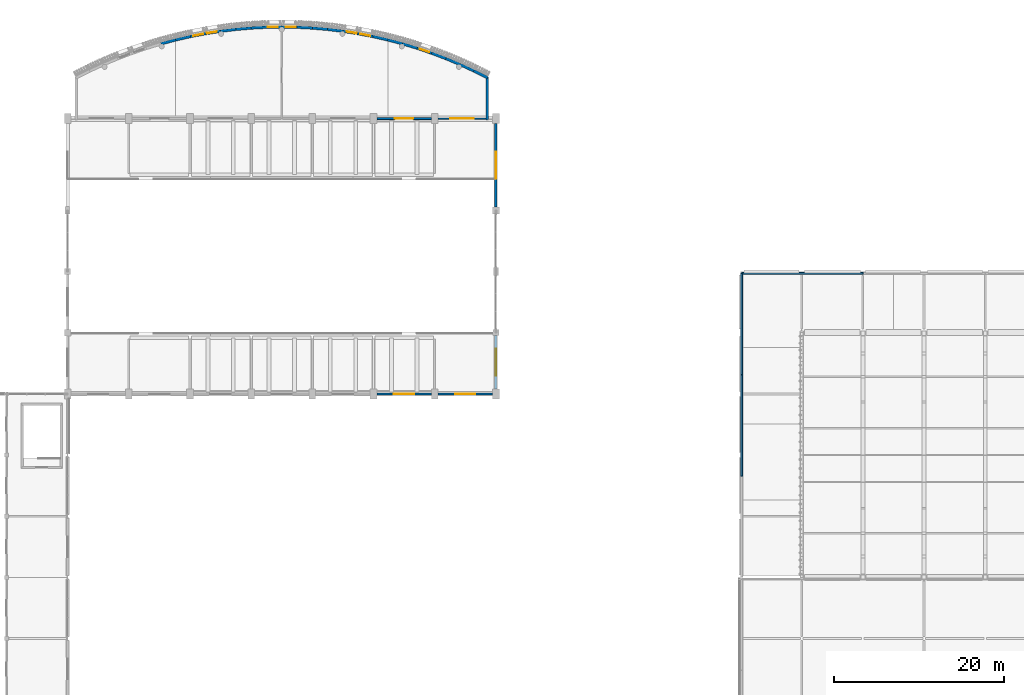
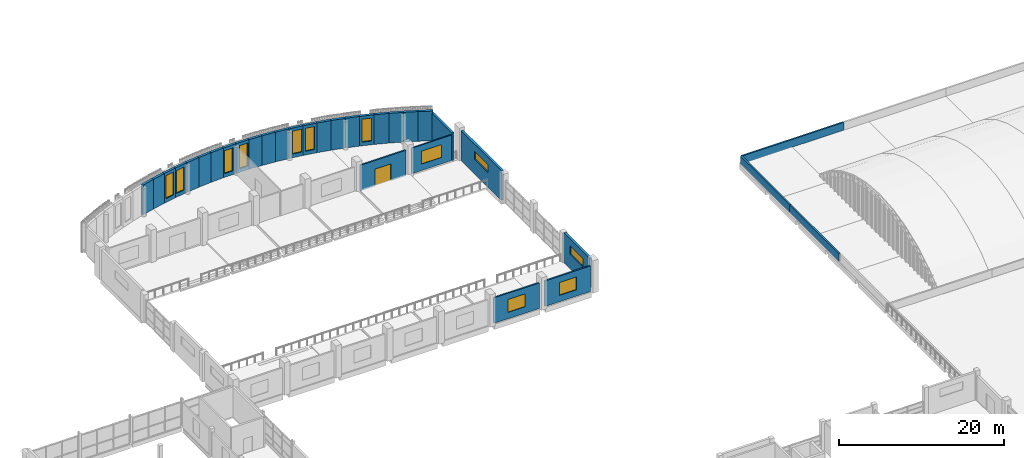
# One storey, part 53 of 71: 32 walls, 12 windows, 1 door, 13 openings.
"""IFC4 building model written with IfcOpenShell, lengths in metres."""

from ifc_helpers import new_model, si_unit, direction, frame, frame_2d, origin, place, context, subcontext, project, spatial, polyline, rectangle, outline, extrude, material, layer, layer_set, type_object, element, fill, save


model = new_model("IFC4")

# Units and contexts
model_context = context("Model", 3, precision=1e-05, world=origin(), true_north=direction((0.0, 1.0)))
body_context = subcontext(model_context, "Body", "Model", "MODEL_VIEW")
ifc_project = project(units=[si_unit("LENGTHUNIT", "METRE"), si_unit("AREAUNIT", "SQUARE_METRE"), si_unit("VOLUMEUNIT", "CUBIC_METRE"), si_unit("PLANEANGLEUNIT", "RADIAN"), si_unit("MASSUNIT", "GRAM", prefix="KILO")], contexts=[model_context])

# Site, building, storey
site_placement = place(None, origin())
site = spatial("IfcSite", under=ifc_project, at=site_placement, CompositionType="ELEMENT")
building_placement = place(site_placement, origin())
building = spatial("IfcBuilding", under=site, at=building_placement, Name="Sardonyx Promenade Sports Hall", CompositionType="ELEMENT")
storey_placement = place(building_placement, frame((0.0, 0.0, 16.0)))
storey = spatial("IfcBuildingStorey", under=building, at=storey_placement, Name="L03", CompositionType="ELEMENT", Elevation=16.0)

# Walls
ifc_material_1 = material(Name="Concrete C40/50", Category="concrete")
ifc_layer_1 = layer(ifc_material_1, 0.340087890625)
ifc_layer_set_1 = layer_set([ifc_layer_1], Name="Wall_Bow_Arc_340")
wall_type_1 = type_object("IfcWallType", Name="Wall_Bow_Arc_340", PredefinedType="SOLIDWALL", material=ifc_layer_set_1)
wall_1_placement = place(storey_placement, frame((39.78271484375, 113.21875, 0.0), z_axis=(0.0, 0.0, 1.0), x_axis=(0.966504582235, 0.256649357135, 0.0)))
element("IfcWall", 1, at=wall_1_placement, inside=storey, type_object=wall_type_1, Name="Bowed promenade wall EW07 L03 CH07", PredefinedType="SOLIDWALL", context=body_context, shape_type="SweptSolid", body=[
    extrude(outline(polyline([(0.002943, -0.17), (1.797058, -0.17), (1.802943, 0.17), (-0.002943, 0.17), (0.002943, -0.17)])), origin(), (0.0, 0.0, 1.0), 4.39990234375),
])
wall_2_placement = place(storey_placement, frame((41.522216796875, 113.6806640625, 0.0), z_axis=(0.0, 0.0, 1.0), x_axis=(0.974791962114, 0.223115733641, 0.0)))
element("IfcWall", 2, at=wall_2_placement, inside=storey, type_object=wall_type_1, Name="Bowed promenade wall EW07 L03 CH08", PredefinedType="SOLIDWALL", context=body_context, shape_type="SweptSolid", body=[
    extrude(outline(polyline([(0.002943, -0.17), (1.797057, -0.17), (1.802943, 0.17), (-0.002943, 0.17), (0.002943, -0.17)])), origin(), (0.0, 0.0, 1.0), 4.39990234375),
])

# Wall, opening, window
wall_3_placement = place(storey_placement, frame((43.27685546875, 114.082275390625, 0.0), z_axis=(0.0, 0.0, 1.0), x_axis=(0.981913462005, 0.189330275271, 0.0)))
wall_3 = element("IfcWall", 3, at=wall_3_placement, inside=storey, type_object=wall_type_1, Name="Bowed promenade wall EW07 L03 CH09", PredefinedType="SOLIDWALL", context=body_context, shape_type="SweptSolid", body=[
    extrude(outline(polyline([(0.002943, -0.17), (1.797057, -0.17), (1.802942, 0.17), (-0.002943, 0.17), (0.002943, -0.17)])), origin(), (0.0, 0.0, 1.0), 4.39990234375),
])
opening_1_placement = place(wall_3_placement, frame((0.31005859375, 0.0, 0.550048828125)))
opening_1 = element("IfcOpeningElement", 4, at=opening_1_placement, cuts=wall_3, Name="Opening W24", PredefinedType="OPENING", context=body_context, shape_type="SweptSolid", body=[
    extrude(rectangle(XDim=1.179931640625, YDim=3.39990234375, at=frame_2d((0.58984375, 1.699951171875))), frame((0.0, 0.18, 0.0), z_axis=(0.0, -1.0, 0.0), x_axis=(1.0, 0.0, 0.0)), (0.0, 0.0, 1.0), 0.36),
])
ifc_material_2 = material(Name="Double-glazed solar low-E aluminium window", Category="aluminium")
window_type_1 = type_object("IfcWindowType", Name="Win_Bow_Upper", PartitioningType="SINGLE_PANEL", PredefinedType="WINDOW", material=ifc_material_2)
window_1_placement = place(opening_1_placement, origin())
window_1 = element("IfcWindow", 5, at=window_1_placement, inside=storey, type_object=window_type_1, Name="Harbour daylight bay window W24 L03 CH09", OverallHeight=3.39990234375, OverallWidth=1.179931640625, PartitioningType="SINGLE_PANEL", PredefinedType="WINDOW", context=body_context, shape_type="SweptSolid", body=[
    extrude(rectangle(XDim=1.179931640625, YDim=3.39990234375, at=frame_2d((0.58984375, 1.699951171875))), frame((0.0, 0.030029296875, 0.0), z_axis=(0.0, -1.0, 0.0), x_axis=(1.0, 0.0, 0.0)), (0.0, 0.0, 1.0), 0.06005859375),
])
fill(opening_1, window_1)

wall_4_placement = place(storey_placement, frame((45.04443359375, 114.423095703125, 0.0), z_axis=(0.0, 0.0, 1.0), x_axis=(0.987886929918, 0.155175428783, 0.0)))
wall_4 = element("IfcWall", 6, at=wall_4_placement, inside=storey, type_object=wall_type_1, Name="Bowed promenade wall EW07 L03 CH10", PredefinedType="SOLIDWALL", context=body_context, shape_type="SweptSolid", body=[
    extrude(outline(polyline([(0.002943, -0.17), (1.797058, -0.17), (1.802943, 0.17), (-0.002943, 0.17), (0.002943, -0.17)])), origin(), (0.0, 0.0, 1.0), 4.39990234375),
])
opening_2_placement = place(wall_4_placement, frame((0.159912109375, 0.0, 0.550048828125)))
opening_2 = element("IfcOpeningElement", 7, at=opening_2_placement, cuts=wall_4, Name="Opening W24", PredefinedType="OPENING", context=body_context, shape_type="SweptSolid", body=[
    extrude(rectangle(XDim=1.179931640625, YDim=3.39990234375, at=frame_2d((0.58984375, 1.699951171875))), frame((0.0, 0.18, 0.0), z_axis=(0.0, -1.0, 0.0), x_axis=(1.0, 0.0, 0.0)), (0.0, 0.0, 1.0), 0.36),
])
window_2_placement = place(opening_2_placement, origin())
window_2 = element("IfcWindow", 8, at=window_2_placement, inside=storey, type_object=window_type_1, Name="Harbour daylight bay window W24 L03 CH10", OverallHeight=3.39990234375, OverallWidth=1.179931640625, PartitioningType="SINGLE_PANEL", PredefinedType="WINDOW", context=body_context, shape_type="SweptSolid", body=[
    extrude(rectangle(XDim=1.179931640625, YDim=3.39990234375, at=frame_2d((0.58984375, 1.699951171875))), frame((0.0, 0.030029296875, 0.0), z_axis=(0.0, -1.0, 0.0), x_axis=(1.0, 0.0, 0.0)), (0.0, 0.0, 1.0), 0.06005859375),
])
fill(opening_2, window_2)

# Walls
wall_5_placement = place(storey_placement, frame((46.822509765625, 114.702392578125, 0.0), z_axis=(0.0, 0.0, 1.0), x_axis=(0.992671296073, 0.120845761006, 0.0)))
element("IfcWall", 9, at=wall_5_placement, inside=storey, type_object=wall_type_1, Name="Bowed promenade wall EW07 L03 CH11", PredefinedType="SOLIDWALL", context=body_context, shape_type="SweptSolid", body=[
    extrude(outline(polyline([(0.002943, -0.17), (1.797057, -0.17), (1.802942, 0.17), (-0.002943, 0.17), (0.002943, -0.17)])), origin(), (0.0, 0.0, 1.0), 4.39990234375),
])
wall_6_placement = place(storey_placement, frame((48.609375, 114.919921875, 0.0), z_axis=(0.0, 0.0, 1.0), x_axis=(0.996260411494, 0.086401345422, 0.0)))
element("IfcWall", 10, at=wall_6_placement, inside=storey, type_object=wall_type_1, Name="Bowed promenade wall EW07 L03 CH12", PredefinedType="SOLIDWALL", context=body_context, shape_type="SweptSolid", body=[
    extrude(outline(polyline([(0.002943, -0.17), (1.797058, -0.17), (1.802943, 0.17), (-0.002943, 0.17), (0.002943, -0.17)])), origin(), (0.0, 0.0, 1.0), 4.39990234375),
])
wall_7_placement = place(storey_placement, frame((50.402587890625, 115.075439453125, 0.0), z_axis=(0.0, 0.0, 1.0), x_axis=(0.998649863362, 0.051946611119, 0.0)))
element("IfcWall", 11, at=wall_7_placement, inside=storey, type_object=wall_type_1, Name="Bowed promenade wall EW07 L03 CH13", PredefinedType="SOLIDWALL", context=body_context, shape_type="SweptSolid", body=[
    extrude(outline(polyline([(0.002943, -0.17), (1.797057, -0.17), (1.802943, 0.17), (-0.002943, 0.17), (0.002943, -0.17)])), origin(), (0.0, 0.0, 1.0), 4.39990234375),
])

# Wall, opening, window
wall_8_placement = place(storey_placement, frame((52.2001953125, 115.1689453125, 0.0), z_axis=(0.0, 0.0, 1.0), x_axis=(0.999851642284, 0.017224790907, 0.0)))
wall_8 = element("IfcWall", 12, at=wall_8_placement, inside=storey, type_object=wall_type_1, Name="Bowed promenade wall EW07 L03 CH14", PredefinedType="SOLIDWALL", context=body_context, shape_type="SweptSolid", body=[
    extrude(outline(polyline([(0.002943, -0.17), (1.797057, -0.17), (1.802942, 0.17), (-0.002943, 0.17), (0.002943, -0.17)])), origin(), (0.0, 0.0, 1.0), 4.39990234375),
])
opening_3_placement = place(wall_8_placement, frame((0.159912109375, 0.0, 0.550048828125)))
opening_3 = element("IfcOpeningElement", 13, at=opening_3_placement, cuts=wall_8, Name="Opening W24", PredefinedType="OPENING", context=body_context, shape_type="SweptSolid", body=[
    extrude(rectangle(XDim=1.179931640625, YDim=3.39990234375, at=frame_2d((0.58984375, 1.699951171875))), frame((0.0, 0.18, 0.0), z_axis=(0.0, -1.0, 0.0), x_axis=(1.0, 0.0, 0.0)), (0.0, 0.0, 1.0), 0.36),
])
window_3_placement = place(opening_3_placement, origin())
window_3 = element("IfcWindow", 14, at=window_3_placement, inside=storey, type_object=window_type_1, Name="Harbour daylight bay window W24 L03 CH14", OverallHeight=3.39990234375, OverallWidth=1.179931640625, PartitioningType="SINGLE_PANEL", PredefinedType="WINDOW", context=body_context, shape_type="SweptSolid", body=[
    extrude(rectangle(XDim=1.179931640625, YDim=3.39990234375, at=frame_2d((0.58984375, 1.699951171875))), frame((0.0, 0.030029296875, 0.0), z_axis=(0.0, -1.0, 0.0), x_axis=(1.0, 0.0, 0.0)), (0.0, 0.0, 1.0), 0.06005859375),
])
fill(opening_3, window_3)

wall_9_placement = place(storey_placement, frame((54.0, 115.199951171875, 0.0), z_axis=(0.0, 0.0, 1.0), x_axis=(0.999851642284, -0.017224790907, 0.0)))
wall_9 = element("IfcWall", 15, at=wall_9_placement, inside=storey, type_object=wall_type_1, Name="Bowed promenade wall EW07 L03 CH15", PredefinedType="SOLIDWALL", context=body_context, shape_type="SweptSolid", body=[
    extrude(outline(polyline([(0.002943, -0.17), (1.797057, -0.17), (1.802942, 0.17), (-0.002943, 0.17), (0.002943, -0.17)])), origin(), (0.0, 0.0, 1.0), 4.39990234375),
])
opening_4_placement = place(wall_9_placement, frame((0.4599609375, 0.0, 0.550048828125)))
opening_4 = element("IfcOpeningElement", 16, at=opening_4_placement, cuts=wall_9, Name="Opening W24", PredefinedType="OPENING", context=body_context, shape_type="SweptSolid", body=[
    extrude(rectangle(XDim=1.179931640625, YDim=3.39990234375, at=frame_2d((0.58984375, 1.699951171875))), frame((0.0, 0.18, 0.0), z_axis=(0.0, -1.0, 0.0), x_axis=(1.0, 0.0, 0.0)), (0.0, 0.0, 1.0), 0.36),
])
window_4_placement = place(opening_4_placement, origin())
window_4 = element("IfcWindow", 17, at=window_4_placement, inside=storey, type_object=window_type_1, Name="Harbour daylight bay window W24 L03 CH15", OverallHeight=3.39990234375, OverallWidth=1.179931640625, PartitioningType="SINGLE_PANEL", PredefinedType="WINDOW", context=body_context, shape_type="SweptSolid", body=[
    extrude(rectangle(XDim=1.179931640625, YDim=3.39990234375, at=frame_2d((0.58984375, 1.699951171875))), frame((0.0, 0.030029296875, 0.0), z_axis=(0.0, -1.0, 0.0), x_axis=(1.0, 0.0, 0.0)), (0.0, 0.0, 1.0), 0.06005859375),
])
fill(opening_4, window_4)

# Walls
wall_10_placement = place(storey_placement, frame((55.7998046875, 115.1689453125, 0.0), z_axis=(0.0, 0.0, 1.0), x_axis=(0.998649863362, -0.051946611119, 0.0)))
element("IfcWall", 18, at=wall_10_placement, inside=storey, type_object=wall_type_1, Name="Bowed promenade wall EW07 L03 CH16", PredefinedType="SOLIDWALL", context=body_context, shape_type="SweptSolid", body=[
    extrude(outline(polyline([(0.002943, -0.17), (1.797057, -0.17), (1.802943, 0.17), (-0.002943, 0.17), (0.002943, -0.17)])), origin(), (0.0, 0.0, 1.0), 4.39990234375),
])
wall_11_placement = place(storey_placement, frame((57.597412109375, 115.075439453125, 0.0), z_axis=(0.0, 0.0, 1.0), x_axis=(0.996260411494, -0.086401345422, 0.0)))
element("IfcWall", 19, at=wall_11_placement, inside=storey, type_object=wall_type_1, Name="Bowed promenade wall EW07 L03 CH17", PredefinedType="SOLIDWALL", context=body_context, shape_type="SweptSolid", body=[
    extrude(outline(polyline([(0.002943, -0.17), (1.797058, -0.17), (1.802943, 0.17), (-0.002943, 0.17), (0.002943, -0.17)])), origin(), (0.0, 0.0, 1.0), 4.39990234375),
])
wall_12_placement = place(storey_placement, frame((59.390625, 114.919921875, 0.0), z_axis=(0.0, 0.0, 1.0), x_axis=(0.992671296073, -0.120845761006, 0.0)))
element("IfcWall", 20, at=wall_12_placement, inside=storey, type_object=wall_type_1, Name="Bowed promenade wall EW07 L03 CH18", PredefinedType="SOLIDWALL", context=body_context, shape_type="SweptSolid", body=[
    extrude(outline(polyline([(0.002943, -0.17), (1.797057, -0.17), (1.802942, 0.17), (-0.002943, 0.17), (0.002943, -0.17)])), origin(), (0.0, 0.0, 1.0), 4.39990234375),
])

# Wall, opening, window
wall_13_placement = place(storey_placement, frame((61.177490234375, 114.702392578125, 0.0), z_axis=(0.0, 0.0, 1.0), x_axis=(0.987886929918, -0.155175428783, 0.0)))
wall_13 = element("IfcWall", 21, at=wall_13_placement, inside=storey, type_object=wall_type_1, Name="Bowed promenade wall EW07 L03 CH19", PredefinedType="SOLIDWALL", context=body_context, shape_type="SweptSolid", body=[
    extrude(outline(polyline([(0.002943, -0.17), (1.797058, -0.17), (1.802943, 0.17), (-0.002943, 0.17), (0.002943, -0.17)])), origin(), (0.0, 0.0, 1.0), 4.39990234375),
])
opening_5_placement = place(wall_13_placement, frame((0.4599609375, 0.0, 0.550048828125)))
opening_5 = element("IfcOpeningElement", 22, at=opening_5_placement, cuts=wall_13, Name="Opening W24", PredefinedType="OPENING", context=body_context, shape_type="SweptSolid", body=[
    extrude(rectangle(XDim=1.179931640625, YDim=3.39990234375, at=frame_2d((0.58984375, 1.699951171875))), frame((0.0, 0.18, 0.0), z_axis=(0.0, -1.0, 0.0), x_axis=(1.0, 0.0, 0.0)), (0.0, 0.0, 1.0), 0.36),
])
window_5_placement = place(opening_5_placement, origin())
window_5 = element("IfcWindow", 23, at=window_5_placement, inside=storey, type_object=window_type_1, Name="Harbour daylight bay window W24 L03 CH19", OverallHeight=3.39990234375, OverallWidth=1.179931640625, PartitioningType="SINGLE_PANEL", PredefinedType="WINDOW", context=body_context, shape_type="SweptSolid", body=[
    extrude(rectangle(XDim=1.179931640625, YDim=3.39990234375, at=frame_2d((0.58984375, 1.699951171875))), frame((0.0, 0.030029296875, 0.0), z_axis=(0.0, -1.0, 0.0), x_axis=(1.0, 0.0, 0.0)), (0.0, 0.0, 1.0), 0.06005859375),
])
fill(opening_5, window_5)

wall_14_placement = place(storey_placement, frame((62.95556640625, 114.423095703125, 0.0), z_axis=(0.0, 0.0, 1.0), x_axis=(0.981913462005, -0.189330275271, 0.0)))
wall_14 = element("IfcWall", 24, at=wall_14_placement, inside=storey, type_object=wall_type_1, Name="Bowed promenade wall EW07 L03 CH20", PredefinedType="SOLIDWALL", context=body_context, shape_type="SweptSolid", body=[
    extrude(outline(polyline([(0.002943, -0.17), (1.797057, -0.17), (1.802942, 0.17), (-0.002943, 0.17), (0.002943, -0.17)])), origin(), (0.0, 0.0, 1.0), 4.39990234375),
])
opening_6_placement = place(wall_14_placement, frame((0.31005859375, 0.0, 0.550048828125)))
opening_6 = element("IfcOpeningElement", 25, at=opening_6_placement, cuts=wall_14, Name="Opening W24", PredefinedType="OPENING", context=body_context, shape_type="SweptSolid", body=[
    extrude(rectangle(XDim=1.179931640625, YDim=3.39990234375, at=frame_2d((0.58984375, 1.699951171875))), frame((0.0, 0.18, 0.0), z_axis=(0.0, -1.0, 0.0), x_axis=(1.0, 0.0, 0.0)), (0.0, 0.0, 1.0), 0.36),
])
window_6_placement = place(opening_6_placement, origin())
window_6 = element("IfcWindow", 26, at=window_6_placement, inside=storey, type_object=window_type_1, Name="Harbour daylight bay window W24 L03 CH20", OverallHeight=3.39990234375, OverallWidth=1.179931640625, PartitioningType="SINGLE_PANEL", PredefinedType="WINDOW", context=body_context, shape_type="SweptSolid", body=[
    extrude(rectangle(XDim=1.179931640625, YDim=3.39990234375, at=frame_2d((0.58984375, 1.699951171875))), frame((0.0, 0.030029296875, 0.0), z_axis=(0.0, -1.0, 0.0), x_axis=(1.0, 0.0, 0.0)), (0.0, 0.0, 1.0), 0.06005859375),
])
fill(opening_6, window_6)

# Walls
wall_15_placement = place(storey_placement, frame((64.72314453125, 114.082275390625, 0.0), z_axis=(0.0, 0.0, 1.0), x_axis=(0.974791962114, -0.223115733641, 0.0)))
element("IfcWall", 27, at=wall_15_placement, inside=storey, type_object=wall_type_1, Name="Bowed promenade wall EW07 L03 CH21", PredefinedType="SOLIDWALL", context=body_context, shape_type="SweptSolid", body=[
    extrude(outline(polyline([(0.002943, -0.17), (1.797057, -0.17), (1.802943, 0.17), (-0.002943, 0.17), (0.002943, -0.17)])), origin(), (0.0, 0.0, 1.0), 4.39990234375),
])
wall_16_placement = place(storey_placement, frame((66.477783203125, 113.6806640625, 0.0), z_axis=(0.0, 0.0, 1.0), x_axis=(0.966504582235, -0.256649357135, 0.0)))
element("IfcWall", 28, at=wall_16_placement, inside=storey, type_object=wall_type_1, Name="Bowed promenade wall EW07 L03 CH22", PredefinedType="SOLIDWALL", context=body_context, shape_type="SweptSolid", body=[
    extrude(outline(polyline([(0.002943, -0.17), (1.797058, -0.17), (1.802943, 0.17), (-0.002943, 0.17), (0.002943, -0.17)])), origin(), (0.0, 0.0, 1.0), 4.39990234375),
])
wall_17_placement = place(storey_placement, frame((68.21728515625, 113.21875, 0.0), z_axis=(0.0, 0.0, 1.0), x_axis=(0.956993600338, -0.290109029354, 0.0)))
element("IfcWall", 29, at=wall_17_placement, inside=storey, type_object=wall_type_1, Name="Bowed promenade wall EW07 L03 CH23", PredefinedType="SOLIDWALL", context=body_context, shape_type="SweptSolid", body=[
    extrude(outline(polyline([(0.002943, -0.17), (1.797057, -0.17), (1.802942, 0.17), (-0.002943, 0.17), (0.002943, -0.17)])), origin(), (0.0, 0.0, 1.0), 4.39990234375),
])

# Wall, opening, window
wall_18_placement = place(storey_placement, frame((69.93994140625, 112.696533203125, 0.0), z_axis=(0.0, 0.0, 1.0), x_axis=(0.946421657721, -0.322933500578, 0.0)))
wall_18 = element("IfcWall", 30, at=wall_18_placement, inside=storey, type_object=wall_type_1, Name="Bowed promenade wall EW07 L03 CH24", PredefinedType="SOLIDWALL", context=body_context, shape_type="SweptSolid", body=[
    extrude(outline(polyline([(0.002943, -0.17), (1.797057, -0.17), (1.802942, 0.17), (-0.002943, 0.17), (0.002943, -0.17)])), origin(), (0.0, 0.0, 1.0), 4.39990234375),
])
opening_7_placement = place(wall_18_placement, frame((0.31005859375, 0.0, 0.550048828125)))
opening_7 = element("IfcOpeningElement", 31, at=opening_7_placement, cuts=wall_18, Name="Opening W24", PredefinedType="OPENING", context=body_context, shape_type="SweptSolid", body=[
    extrude(rectangle(XDim=1.179931640625, YDim=3.39990234375, at=frame_2d((0.58984375, 1.699951171875))), frame((0.0, 0.18, 0.0), z_axis=(0.0, -1.0, 0.0), x_axis=(1.0, 0.0, 0.0)), (0.0, 0.0, 1.0), 0.36),
])
window_7_placement = place(opening_7_placement, origin())
window_7 = element("IfcWindow", 32, at=window_7_placement, inside=storey, type_object=window_type_1, Name="Harbour daylight bay window W24 L03 CH24", OverallHeight=3.39990234375, OverallWidth=1.179931640625, PartitioningType="SINGLE_PANEL", PredefinedType="WINDOW", context=body_context, shape_type="SweptSolid", body=[
    extrude(rectangle(XDim=1.179931640625, YDim=3.39990234375, at=frame_2d((0.58984375, 1.699951171875))), frame((0.0, 0.030029296875, 0.0), z_axis=(0.0, -1.0, 0.0), x_axis=(1.0, 0.0, 0.0)), (0.0, 0.0, 1.0), 0.06005859375),
])
fill(opening_7, window_7)

# Walls
wall_19_placement = place(storey_placement, frame((71.6435546875, 112.115234375, 0.0), z_axis=(0.0, 0.0, 1.0), x_axis=(0.934674543416, -0.35550456803, 0.0)))
element("IfcWall", 33, at=wall_19_placement, inside=storey, type_object=wall_type_1, Name="Bowed promenade wall EW07 L03 CH25", PredefinedType="SOLIDWALL", context=body_context, shape_type="SweptSolid", body=[
    extrude(outline(polyline([(0.002943, -0.17), (1.797057, -0.17), (1.802943, 0.17), (-0.002943, 0.17), (0.002943, -0.17)])), origin(), (0.0, 0.0, 1.0), 4.39990234375),
])
wall_20_placement = place(storey_placement, frame((73.325927734375, 111.475341796875, 0.0), z_axis=(0.0, 0.0, 1.0), x_axis=(0.921803799964, -0.387656748131, 0.0)))
element("IfcWall", 34, at=wall_20_placement, inside=storey, type_object=wall_type_1, Name="Bowed promenade wall EW07 L03 CH26", PredefinedType="SOLIDWALL", context=body_context, shape_type="SweptSolid", body=[
    extrude(outline(polyline([(0.002943, -0.17), (1.797058, -0.17), (1.802943, 0.17), (-0.002943, 0.17), (0.002943, -0.17)])), origin(), (0.0, 0.0, 1.0), 4.39990234375),
])
for number, where, z_axis, x_axis, name in (
    (35, (74.985107421875, 110.777587890625, 0.0), (0.0, 0.0, 1.0), (0.907808472517, -0.419384998808, 0.0), "Bowed promenade wall EW07 L03 CH27"),
    (36, (76.619140625, 110.022705078125, 0.0), (0.0, 0.0, 1.0), (0.892821085875, -0.450411488104, 0.0), "Bowed promenade wall EW07 L03 CH28"),
):
    element("IfcWall", number, at=place(storey_placement, frame(where, z_axis=z_axis, x_axis=x_axis)), inside=storey, type_object=wall_type_1, Name=name, PredefinedType="SOLIDWALL", context=body_context, shape_type="SweptSolid", body=[
        extrude(outline(polyline([(0.002943, -0.17), (1.797057, -0.17), (1.802943, 0.17), (-0.002943, 0.17), (0.002943, -0.17)])), origin(), (0.0, 0.0, 1.0), 4.39990234375),
    ])

# Wall, opening, window
ifc_material_3 = material(Name="Concrete C40/50", Category="concrete")
ifc_layer_2 = layer(ifc_material_3, 0.320068359375)
ifc_layer_set_2 = layer_set([ifc_layer_2], Name="Wall_Ext_Court_320")
wall_type_2 = type_object("IfcWallType", Name="Wall_Ext_Court_320", PredefinedType="SOLIDWALL", material=ifc_layer_set_2)
wall_21_placement = place(storey_placement, frame((79.199951171875, 103.81494140625, 0.0), z_axis=(0.0, 0.0, 1.0), x_axis=(0.0, -1.0, 0.0)))
wall_21 = element("IfcWall", 37, at=wall_21_placement, inside=storey, type_object=wall_type_2, Name="Exterior wall EW01 L03 #225", PredefinedType="SOLIDWALL", context=body_context, shape_type="SweptSolid", body=[
    extrude(rectangle(XDim=9.829833984375, YDim=0.320068359375, at=frame_2d((4.9150390625, 0.0))), origin(), (0.0, 0.0, 1.0), 4.39990234375),
])
opening_8_placement = place(wall_21_placement, frame((3.31494140625, 0.0, 2.14990234375)))
opening_8 = element("IfcOpeningElement", 38, at=opening_8_placement, cuts=wall_21, Name="Opening W22", PredefinedType="OPENING", context=body_context, shape_type="SweptSolid", body=[
    extrude(rectangle(XDim=3.199951171875, YDim=1.199951171875, at=frame_2d((1.60009765625, 0.60009765625))), frame((0.0, 0.17, 0.0), z_axis=(0.0, -1.0, 0.0), x_axis=(1.0, 0.0, 0.0)), (0.0, 0.0, 1.0), 0.34),
])
ifc_material_4 = material(Name="Double-glazed solar low-E aluminium window", Category="aluminium")
window_type_2 = type_object("IfcWindowType", Name="Win_Clerestory_320x120", PartitioningType="DOUBLE_PANEL_VERTICAL", PredefinedType="WINDOW", material=ifc_material_4)
window_8_placement = place(opening_8_placement, origin())
window_8 = element("IfcWindow", 39, at=window_8_placement, inside=storey, type_object=window_type_2, Name="Facade window W22 L03 #90", OverallHeight=1.199951171875, OverallWidth=3.199951171875, PartitioningType="SINGLE_PANEL", PredefinedType="WINDOW", context=body_context, shape_type="SweptSolid", body=[
    extrude(rectangle(XDim=3.199951171875, YDim=1.199951171875, at=frame_2d((1.60009765625, 0.60009765625))), frame((0.0, 0.030029296875, 0.0), z_axis=(0.0, -1.0, 0.0), x_axis=(1.0, 0.0, 0.0)), (0.0, 0.0, 1.0), 0.06005859375),
])
fill(opening_8, window_8)

wall_22_placement = place(storey_placement, frame((79.199951171875, 78.864990234375, 0.0), z_axis=(0.0, 0.0, 1.0), x_axis=(0.0, -1.0, 0.0)))
wall_22 = element("IfcWall", 40, at=wall_22_placement, inside=storey, type_object=wall_type_2, Name="Exterior wall EW01 L03 #226", PredefinedType="SOLIDWALL", context=body_context, shape_type="SweptSolid", body=[
    extrude(rectangle(XDim=6.280029296875, YDim=0.320068359375, at=frame_2d((3.14013671875, 0.0))), origin(), (0.0, 0.0, 1.0), 4.39990234375),
])
opening_9_placement = place(wall_22_placement, frame((1.5400390625, 0.0, 2.14990234375)))
opening_9 = element("IfcOpeningElement", 41, at=opening_9_placement, cuts=wall_22, Name="Opening W22", PredefinedType="OPENING", context=body_context, shape_type="SweptSolid", body=[
    extrude(rectangle(XDim=3.199951171875, YDim=1.199951171875, at=frame_2d((1.60009765625, 0.60009765625))), frame((0.0, 0.17, 0.0), z_axis=(0.0, -1.0, 0.0), x_axis=(1.0, 0.0, 0.0)), (0.0, 0.0, 1.0), 0.34),
])
window_9_placement = place(opening_9_placement, origin())
window_9 = element("IfcWindow", 42, at=window_9_placement, inside=storey, type_object=window_type_2, Name="Facade window W22 L03 #91", OverallHeight=1.199951171875, OverallWidth=3.199951171875, PartitioningType="SINGLE_PANEL", PredefinedType="WINDOW", context=body_context, shape_type="SweptSolid", body=[
    extrude(rectangle(XDim=3.199951171875, YDim=1.199951171875, at=frame_2d((1.60009765625, 0.60009765625))), frame((0.0, 0.030029296875, 0.0), z_axis=(0.0, -1.0, 0.0), x_axis=(1.0, 0.0, 0.0)), (0.0, 0.0, 1.0), 0.06005859375),
])
fill(opening_9, window_9)

# Walls
ifc_material_5 = material(Name="Concrete C40/50", Category="concrete")
ifc_layer_3 = layer(ifc_material_5, 0.280029296875)
ifc_layer_set_3 = layer_set([ifc_layer_3], Name="Wall_Ext_Wing_280")
wall_type_3 = type_object("IfcWallType", Name="Wall_Ext_Wing_280", PredefinedType="SOLIDWALL", material=ifc_layer_set_3)
wall_23_placement = place(storey_placement, frame((78.17626953125, 109.291748046875, 0.0), z_axis=(0.0, 0.0, 1.0), x_axis=(0.0, -1.0, 0.0)))
element("IfcWall", 43, at=wall_23_placement, inside=storey, type_object=wall_type_3, Name="Bowed gallery east return wall L03", PredefinedType="SOLIDWALL", context=body_context, shape_type="SweptSolid", body=[
    extrude(rectangle(XDim=5.041748046875, YDim=0.280029296875, at=frame_2d((2.52099609375, 0.0))), origin(), (0.0, 0.0, 1.0), 4.1201171875),
])
ifc_material_6 = material(Name="Concrete C40/50", Category="concrete")
ifc_layer_4 = layer(ifc_material_6, 0.219970703125)
ifc_layer_set_4 = layer_set([ifc_layer_4], Name="Wall_Parapet_Roof_220")
wall_type_4 = type_object("IfcWallType", Name="Wall_Parapet_Roof_220", PredefinedType="PARAPET", material=ifc_layer_set_4)
for number, where, z_axis, x_axis, name in (
    (44, (108.14990234375, 62.333251953125, 0.0), (0.0, 0.0, 1.0), (0.0, 1.0, 0.0), "Roof parapet PP02 L03 #32"),
    (45, (108.14990234375, 74.2666015625, 0.0), (0.0, 0.0, 1.0), (0.0, 1.0, 0.0), "Roof parapet PP02 L03 #33"),
):
    element("IfcWall", number, at=place(storey_placement, frame(where, z_axis=z_axis, x_axis=x_axis)), inside=storey, type_object=wall_type_4, Name=name, PredefinedType="PARAPET", context=body_context, shape_type="SweptSolid", body=[
        extrude(rectangle(XDim=11.933349609375, YDim=0.219970703125, at=frame_2d((5.966796875, 0.0))), origin(), (0.0, 0.0, 1.0), 1.14990234375),
    ])
wall_24_placement = place(storey_placement, frame((108.14990234375, 86.199951171875, 0.0), z_axis=(0.0, 0.0, 1.0), x_axis=(1.0, 0.0, 0.0)))
element("IfcWall", 46, at=wall_24_placement, inside=storey, type_object=wall_type_4, Name="Roof parapet PP02 L03 #34", PredefinedType="PARAPET", context=body_context, shape_type="SweptSolid", body=[
    extrude(rectangle(XDim=14.3125, YDim=0.219970703125, at=frame_2d((7.15625, 0.0))), origin(), (0.0, 0.0, 1.0), 1.14990234375),
])

# Wall, opening, window
ifc_material_7 = material(Name="Twin-stud acoustic gypsum partition", Category="gypsum")
ifc_layer_5 = layer(ifc_material_7, 0.169921875)
ifc_layer_set_5 = layer_set([ifc_layer_5], Name="Wall_Part_Acoust_170")
wall_type_5 = type_object("IfcWallType", Name="Wall_Part_Acoust_170", PredefinedType="PARTITIONING", material=ifc_layer_set_5)
wall_25_placement = place(storey_placement, frame((72.39990234375, 104.39990234375, 0.0), z_axis=(0.0, 0.0, 1.0), x_axis=(1.0, 0.0, 0.0)))
wall_25 = element("IfcWall", 47, at=wall_25_placement, inside=storey, type_object=wall_type_5, Name="Interior partition PW06 L03 #428", PredefinedType="PARTITIONING", context=body_context, shape_type="SweptSolid", body=[
    extrude(rectangle(XDim=5.62646484375, YDim=0.169921875, at=frame_2d((2.813232421875, 0.0))), origin(), (0.0, 0.0, 1.0), 3.780029296875),
])
opening_10_placement = place(wall_25_placement, frame((1.4130859375, 0.0, 0.949951171875)))
opening_10 = element("IfcOpeningElement", 48, at=opening_10_placement, cuts=wall_25, Name="Opening IW06", PredefinedType="OPENING", context=body_context, shape_type="SweptSolid", body=[
    extrude(rectangle(XDim=2.800048828125, YDim=1.89990234375, at=frame_2d((1.39990234375, 0.949951171875))), frame((0.0, 0.095, 0.0), z_axis=(0.0, -1.0, 0.0), x_axis=(1.0, 0.0, 0.0)), (0.0, 0.0, 1.0), 0.19),
])
ifc_material_8 = material(Name="Acoustic laminated sports viewing glazing EI 60", Category="glass")
window_type_3 = type_object("IfcWindowType", Name="IWin_Arena_280x190", PartitioningType="DOUBLE_PANEL_VERTICAL", PredefinedType="WINDOW", material=ifc_material_8)
window_10_placement = place(opening_10_placement, origin())
window_10 = element("IfcWindow", 49, at=window_10_placement, inside=storey, type_object=window_type_3, Name="Internal viewing window IW06 L03 #44", OverallHeight=1.89990234375, OverallWidth=2.800048828125, PartitioningType="SINGLE_PANEL", PredefinedType="WINDOW", context=body_context, shape_type="SweptSolid", body=[
    extrude(rectangle(XDim=2.800048828125, YDim=1.89990234375, at=frame_2d((1.39990234375, 0.949951171875))), frame((0.0, 0.030029296875, 0.0), z_axis=(0.0, -1.0, 0.0), x_axis=(1.0, 0.0, 0.0)), (0.0, 0.0, 1.0), 0.06005859375),
])
fill(opening_10, window_10)

# Wall, opening, door
ifc_material_9 = material(Name="Masonry CMU 15 MPa", Category="masonry")
ifc_layer_6 = layer(ifc_material_9, 0.2099609375)
ifc_layer_set_6 = layer_set([ifc_layer_6], Name="Wall_Part_Block_210")
wall_type_6 = type_object("IfcWallType", Name="Wall_Part_Block_210", PredefinedType="PARTITIONING", material=ifc_layer_set_6)
wall_26_placement = place(storey_placement, frame((65.199951171875, 104.39990234375, 0.0), z_axis=(0.0, 0.0, 1.0), x_axis=(1.0, 0.0, 0.0)))
wall_26 = element("IfcWall", 50, at=wall_26_placement, inside=storey, type_object=wall_type_6, Name="Interior partition PW07 L03 #427", PredefinedType="PARTITIONING", context=body_context, shape_type="SweptSolid", body=[
    extrude(rectangle(XDim=6.400146484375, YDim=0.2099609375, at=frame_2d((3.2001953125, 0.0))), origin(), (0.0, 0.0, 1.0), 3.780029296875),
])
opening_11_placement = place(wall_26_placement, frame((2.10009765625, 0.0, 0.0)))
opening_11 = element("IfcOpeningElement", 51, at=opening_11_placement, cuts=wall_26, Name="Opening ID04", PredefinedType="OPENING", context=body_context, shape_type="SweptSolid", body=[
    extrude(rectangle(XDim=2.199951171875, YDim=2.5, at=frame_2d((1.10009765625, 1.25))), frame((0.0, 0.115, 0.0), z_axis=(0.0, -1.0, 0.0), x_axis=(1.0, 0.0, 0.0)), (0.0, 0.0, 1.0), 0.23),
])
ifc_material_10 = material(Name="Double acoustic sports hall fire door FD60S", Category="wood")
door_type = type_object("IfcDoorType", Name="Door_Hall_FD60_220x250", OperationType="NOTDEFINED", PredefinedType="DOOR", material=ifc_material_10)
door_placement = place(opening_11_placement, origin())
door = element("IfcDoor", 52, at=door_placement, inside=storey, type_object=door_type, Name="Interior door D03-135", OperationType="DOUBLE_DOOR_SINGLE_SWING", OverallHeight=2.5, OverallWidth=2.199951171875, PredefinedType="DOOR", context=body_context, shape_type="SweptSolid", body=[
    extrude(rectangle(XDim=2.199951171875, YDim=2.5, at=frame_2d((1.10009765625, 1.25))), frame((0.0, 0.02490234375, 0.0), z_axis=(0.0, -1.0, 0.0), x_axis=(1.0, 0.0, 0.0)), (0.0, 0.0, 1.0), 0.050048828125),
])
fill(opening_11, door)

# Wall, opening, window
wall_27_placement = place(storey_placement, frame((65.199951171875, 72.0, 0.0), z_axis=(0.0, 0.0, 1.0), x_axis=(1.0, 0.0, 0.0)))
wall_27 = element("IfcWall", 53, at=wall_27_placement, inside=storey, type_object=wall_type_6, Name="Interior partition PW07 L03 #434", PredefinedType="PARTITIONING", context=body_context, shape_type="SweptSolid", body=[
    extrude(rectangle(XDim=6.400146484375, YDim=0.2099609375, at=frame_2d((3.2001953125, 0.0))), origin(), (0.0, 0.0, 1.0), 3.780029296875),
])
opening_12_placement = place(wall_27_placement, frame((2.0, 0.0, 0.949951171875)))
opening_12 = element("IfcOpeningElement", 54, at=opening_12_placement, cuts=wall_27, Name="Opening IW03", PredefinedType="OPENING", context=body_context, shape_type="SweptSolid", body=[
    extrude(rectangle(XDim=2.39990234375, YDim=1.89990234375, at=frame_2d((1.199951171875, 0.949951171875))), frame((0.0, 0.115, 0.0), z_axis=(0.0, -1.0, 0.0), x_axis=(1.0, 0.0, 0.0)), (0.0, 0.0, 1.0), 0.23),
])
ifc_material_11 = material(Name="Acoustic laminated sports viewing glazing EI 60", Category="glass")
window_type_4 = type_object("IfcWindowType", Name="IWin_Arena_240x190", PartitioningType="DOUBLE_PANEL_VERTICAL", PredefinedType="WINDOW", material=ifc_material_11)
window_11_placement = place(opening_12_placement, origin())
window_11 = element("IfcWindow", 55, at=window_11_placement, inside=storey, type_object=window_type_4, Name="Internal viewing window IW03 L03 #50", OverallHeight=1.89990234375, OverallWidth=2.39990234375, PartitioningType="SINGLE_PANEL", PredefinedType="WINDOW", context=body_context, shape_type="SweptSolid", body=[
    extrude(rectangle(XDim=2.39990234375, YDim=1.89990234375, at=frame_2d((1.199951171875, 0.949951171875))), frame((0.0, 0.030029296875, 0.0), z_axis=(0.0, -1.0, 0.0), x_axis=(1.0, 0.0, 0.0)), (0.0, 0.0, 1.0), 0.06005859375),
])
fill(opening_12, window_11)

wall_28_placement = place(storey_placement, frame((72.39990234375, 72.0, 0.0), z_axis=(0.0, 0.0, 1.0), x_axis=(1.0, 0.0, 0.0)))
wall_28 = element("IfcWall", 56, at=wall_28_placement, inside=storey, type_object=wall_type_6, Name="Interior partition PW07 L03 #435", PredefinedType="PARTITIONING", context=body_context, shape_type="SweptSolid", body=[
    extrude(rectangle(XDim=6.400146484375, YDim=0.2099609375, at=frame_2d((3.2001953125, 0.0))), origin(), (0.0, 0.0, 1.0), 3.780029296875),
])
opening_13_placement = place(wall_28_placement, frame((2.0, 0.0, 0.949951171875)))
opening_13 = element("IfcOpeningElement", 57, at=opening_13_placement, cuts=wall_28, Name="Opening IW03", PredefinedType="OPENING", context=body_context, shape_type="SweptSolid", body=[
    extrude(rectangle(XDim=2.39990234375, YDim=1.89990234375, at=frame_2d((1.199951171875, 0.949951171875))), frame((0.0, 0.115, 0.0), z_axis=(0.0, -1.0, 0.0), x_axis=(1.0, 0.0, 0.0)), (0.0, 0.0, 1.0), 0.23),
])
window_12_placement = place(opening_13_placement, origin())
window_12 = element("IfcWindow", 58, at=window_12_placement, inside=storey, type_object=window_type_4, Name="Internal viewing window IW03 L03 #51", OverallHeight=1.89990234375, OverallWidth=2.39990234375, PartitioningType="SINGLE_PANEL", PredefinedType="WINDOW", context=body_context, shape_type="SweptSolid", body=[
    extrude(rectangle(XDim=2.39990234375, YDim=1.89990234375, at=frame_2d((1.199951171875, 0.949951171875))), frame((0.0, 0.030029296875, 0.0), z_axis=(0.0, -1.0, 0.0), x_axis=(1.0, 0.0, 0.0)), (0.0, 0.0, 1.0), 0.06005859375),
])
fill(opening_13, window_12)

save(model, "model.ifc")
